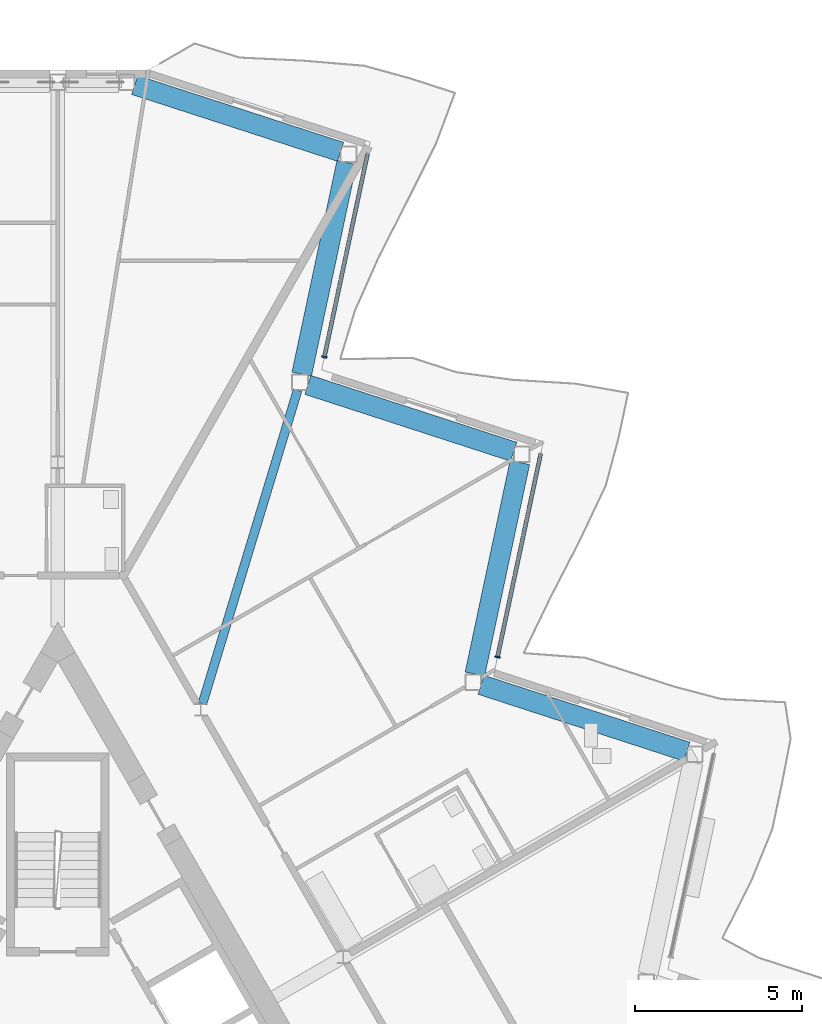
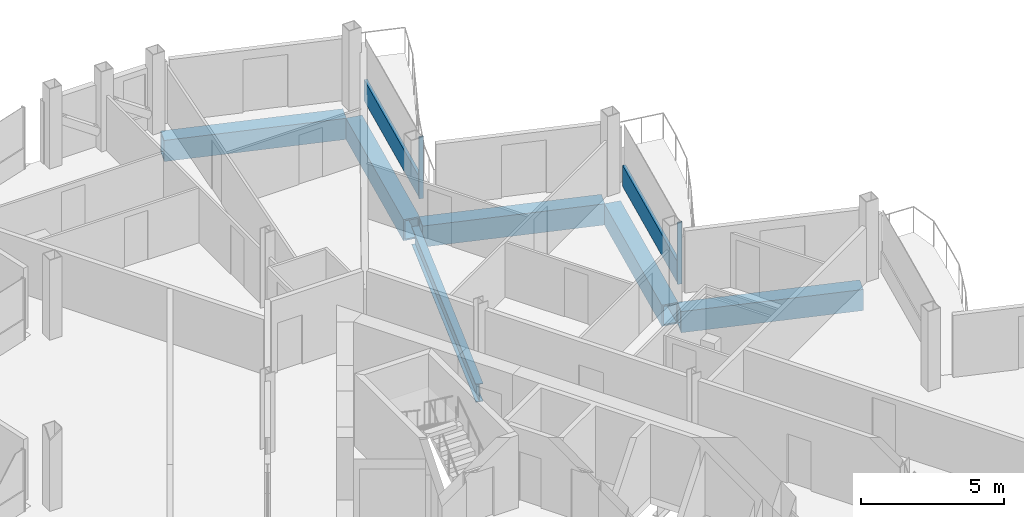
# One storey, part 11 of 27: 6 beams, 4 members, 2 elements without a shape of their own.
"""IFC4 building model written with IfcOpenShell, lengths in metres."""

from ifc_helpers import new_model, si_unit, direction, frame, origin, origin_2d, place, context, subcontext, project, spatial, rectangle, hollow_rectangle, i_section, extrude, material, layer, layer_set, material_profile, profile_set, type_object, element, aggregate, save


model = new_model("IFC4")

# Units and contexts
model_context = context("Model", 3, precision=1e-05, world=origin(), true_north=direction((0.0, 1.0)))
body_context = subcontext(model_context, "Body", "Model", "MODEL_VIEW")
ifc_project = project(units=[si_unit("LENGTHUNIT", "METRE"), si_unit("AREAUNIT", "SQUARE_METRE"), si_unit("VOLUMEUNIT", "CUBIC_METRE"), si_unit("PLANEANGLEUNIT", "RADIAN"), si_unit("MASSUNIT", "GRAM", prefix="KILO")], contexts=[model_context])

# Site, building, storey
site_placement = place(None, origin())
site = spatial("IfcSite", under=ifc_project, at=site_placement, CompositionType="ELEMENT")
building_placement = place(site_placement, origin())
building = spatial("IfcBuilding", under=site, at=building_placement, Name="Cormorant Prow Tower", CompositionType="ELEMENT")
storey_placement = place(building_placement, frame((0.0, 0.0, 361.0)))
storey = spatial("IfcBuildingStorey", under=building, at=storey_placement, Name="L80", CompositionType="ELEMENT", Elevation=361.0)

# Beams
ifc_material_1 = material(Name="Structural steel ASTM A572 Gr 50", Category="steel")
ifc_material_profile_1 = material_profile(ifc_material_1, hollow_rectangle(XDim=0.60009765625, YDim=0.89990234375, WallThickness=0.06005859375, at=origin_2d()), Name="Box 900x600x60")
ifc_profile_set_1 = profile_set([ifc_material_profile_1], Name="Structural steel ASTM A572 Gr 50")
beam_type_1 = type_object("IfcBeamType", Name="Belt truss top chord 900x600x60", PredefinedType="BEAM", material=ifc_profile_set_1)
beam_1_placement = place(storey_placement, frame((18.890869140625, 11.12109375, -0.75), z_axis=(-0.951053396625, 0.309026595569, 0.0), x_axis=(-0.309026595569, -0.951053396625, 0.0)))
element("IfcBeam", 1, at=beam_1_placement, inside=storey, type_object=beam_type_1, Name="Belt truss top chord TC2 ENE05-ENE06 L80", PredefinedType="BEAM", context=body_context, shape_type="SweptSolid", body=[
    extrude(hollow_rectangle(XDim=0.60009765625, YDim=0.89990234375, WallThickness=0.06005859375, at=origin_2d()), origin(), (0.0, 0.0, 1.0), 6.497314453125),
])
beam_2_placement = place(storey_placement, frame((12.52587890625, 13.45068359375, -0.75), z_axis=(0.207901897373, 0.978149682344, 0.0), x_axis=(-0.978149682344, 0.207901897373, 0.0)))
element("IfcBeam", 2, at=beam_2_placement, inside=storey, type_object=beam_type_1, Name="Belt truss top chord TC2 ENE06-ENE07 L80", PredefinedType="BEAM", context=body_context, shape_type="SweptSolid", body=[
    extrude(hollow_rectangle(XDim=0.60009765625, YDim=0.89990234375, WallThickness=0.06005859375, at=origin_2d()), origin(), (0.0, 0.0, 1.0), 6.49755859375),
])
beam_3_placement = place(storey_placement, frame((13.69091796875, 20.1279296875, -0.75), z_axis=(-0.951068027308, 0.308981564875, 0.0), x_axis=(-0.308981564875, -0.951068027308, 0.0)))
element("IfcBeam", 3, at=beam_3_placement, inside=storey, type_object=beam_type_1, Name="Belt truss top chord TC2 ENE07-ENE08 L80", PredefinedType="BEAM", context=body_context, shape_type="SweptSolid", body=[
    extrude(hollow_rectangle(XDim=0.60009765625, YDim=0.89990234375, WallThickness=0.06005859375, at=origin_2d()), origin(), (0.0, 0.0, 1.0), 6.497314453125),
])
for number, where, z_axis, x_axis, name in (
    (4, (7.32568359375, 22.457275390625, -0.75), (0.20793784774, 0.978142040543, 0.0), (-0.978142040543, 0.20793784774, 0.0), "Belt truss top chord TC2 ENE08-ENE09 L80"),
    (5, (8.490966796875, 29.134521484375, -0.75), (-0.951056984862, 0.30901555227, 0.0), (-0.30901555227, -0.951056984862, 0.0), "Belt truss top chord TC2 ENE09-N00 L80"),
):
    element("IfcBeam", number, at=place(storey_placement, frame(where, z_axis=z_axis, x_axis=x_axis)), inside=storey, type_object=beam_type_1, Name=name, PredefinedType="BEAM", context=body_context, shape_type="SweptSolid", body=[
        extrude(hollow_rectangle(XDim=0.60009765625, YDim=0.89990234375, WallThickness=0.06005859375, at=origin_2d()), origin(), (0.0, 0.0, 1.0), 6.49755859375),
    ])
ifc_material_2 = material(Name="Structural steel ASTM A992 Gr 50", Category="steel")
ifc_material_profile_2 = material_profile(ifc_material_2, i_section(OverallWidth=0.267822265625, OverallDepth=0.77001953125, WebThickness=0.015625, FlangeThickness=0.025390625, at=origin_2d()), Name="W30x132")
ifc_profile_set_2 = profile_set([ifc_material_profile_2], Name="Structural steel ASTM A992 Gr 50")
beam_type_2 = type_object("IfcBeamType", Name="Radial floor beam W30x132", PredefinedType="BEAM", material=ifc_profile_set_2)
beam_4_placement = place(storey_placement, frame((4.343505859375, 12.560791015625, -0.68505859375), z_axis=(0.290499864147, 0.956875033079, 0.0), x_axis=(-0.956875033079, 0.290499864147, 0.0)))
element("IfcBeam", 6, at=beam_4_placement, inside=storey, type_object=beam_type_2, Name="Radial floor beam FB3 12 L80", PredefinedType="BEAM", context=body_context, shape_type="SweptSolid", body=[
    extrude(i_section(OverallWidth=0.267822265625, OverallDepth=0.77001953125, WebThickness=0.015625, FlangeThickness=0.025390625, at=origin_2d()), origin(), (0.0, 0.0, 1.0), 9.837158203125),
])

# Curtain wall, member
ifc_material_3 = material(Name="Aluminium 6063-T6", Category="aluminium")
ifc_layer = layer(ifc_material_3, 0.159912109375)
ifc_layer_set = layer_set([ifc_layer], Name="Aluminium 6063-T6")
curtain_wall_type = type_object("IfcCurtainWallType", Name="Residential unitised curtain wall 160", PredefinedType="NOTDEFINED", material=ifc_layer_set)
curtain_wall_1_placement = place(storey_placement, origin())
curtain_wall_1 = element("IfcCurtainWall", 7, at=curtain_wall_1_placement, inside=storey, type_object=curtain_wall_type, Name="Residential curtain wall ENE06", PredefinedType="NOTDEFINED")
ifc_material_4 = material(Name="Aluminium 6063-T6", Category="aluminium")
ifc_material_profile_3 = material_profile(ifc_material_4, rectangle(XDim=0.159912109375, YDim=0.050048828125, at=origin_2d()), Name="Residential mullion 50x160")
ifc_profile_set_3 = profile_set([ifc_material_profile_3], Name="Aluminium 6063-T6")
member_type_1 = type_object("IfcMemberType", Name="Residential mullion 50x160", PredefinedType="MULLION", material=ifc_profile_set_3)
member_1_placement = place(storey_placement, frame((13.2060546875, 13.96435546875, 0.0), z_axis=(0.0, 0.0, 1.0), x_axis=(-0.978147586701, 0.207911756835, 0.0)))
member_1 = element("IfcMember", 8, at=member_1_placement, type_object=member_type_1, Name="Residential mullion ENE06", PredefinedType="MULLION", context=body_context, shape_type="SweptSolid", body=[
    extrude(rectangle(XDim=0.159912109375, YDim=0.050048828125, at=origin_2d()), origin(), (0.0, 0.0, 1.0), 2.6337890625),
])

curtain_wall_2_placement = place(storey_placement, origin())
curtain_wall_2 = element("IfcCurtainWall", 9, at=curtain_wall_2_placement, inside=storey, type_object=curtain_wall_type, Name="Residential curtain wall ENE08", PredefinedType="NOTDEFINED")
member_2_placement = place(storey_placement, frame((8.006103515625, 22.97119140625, 0.0), z_axis=(0.0, 0.0, 1.0), x_axis=(-0.978147586701, 0.207911756835, 0.0)))
member_2 = element("IfcMember", 10, at=member_2_placement, type_object=member_type_1, Name="Residential mullion ENE08", PredefinedType="MULLION", context=body_context, shape_type="SweptSolid", body=[
    extrude(rectangle(XDim=0.159912109375, YDim=0.050048828125, at=origin_2d()), origin(), (0.0, 0.0, 1.0), 2.6337890625),
])

# Member
ifc_material_5 = material(Name="Terracotta", Category="masonry")
ifc_material_profile_4 = material_profile(ifc_material_5, rectangle(XDim=0.1201171875, YDim=0.89990234375, at=origin_2d()), Name="Residential terracotta spandrel rail 120x900")
ifc_profile_set_4 = profile_set([ifc_material_profile_4], Name="Terracotta")
member_type_2 = type_object("IfcMemberType", Name="Residential terracotta spandrel rail 120x900", PredefinedType="USERDEFINED", material=ifc_profile_set_4)
member_3_placement = place(storey_placement, frame((13.211181640625, 13.989013671875, 0.449951171875), z_axis=(0.207916541247, 0.978146569731, 0.0), x_axis=(-0.978146569731, 0.207916541247, 0.0)))
member_3 = element("IfcMember", 11, at=member_3_placement, type_object=member_type_2, Name="Residential spandrel rail ENE06", ObjectType="TRANSOM", PredefinedType="USERDEFINED", context=body_context, shape_type="SweptSolid", body=[
    extrude(rectangle(XDim=0.1201171875, YDim=0.89990234375, at=origin_2d()), origin(), (0.0, 0.0, 1.0), 6.215087890625),
])

aggregate(curtain_wall_1, [member_1, member_3])

member_4_placement = place(storey_placement, frame((8.01123046875, 22.99560546875, 0.449951171875), z_axis=(0.207916541247, 0.978146569731, 0.0), x_axis=(-0.978146569731, 0.207916541247, 0.0)))
member_4 = element("IfcMember", 12, at=member_4_placement, type_object=member_type_2, Name="Residential spandrel rail ENE08", ObjectType="TRANSOM", PredefinedType="USERDEFINED", context=body_context, shape_type="SweptSolid", body=[
    extrude(rectangle(XDim=0.1201171875, YDim=0.89990234375, at=origin_2d()), origin(), (0.0, 0.0, 1.0), 6.215087890625),
])

aggregate(curtain_wall_2, [member_2, member_4])

save(model, "model.ifc")
